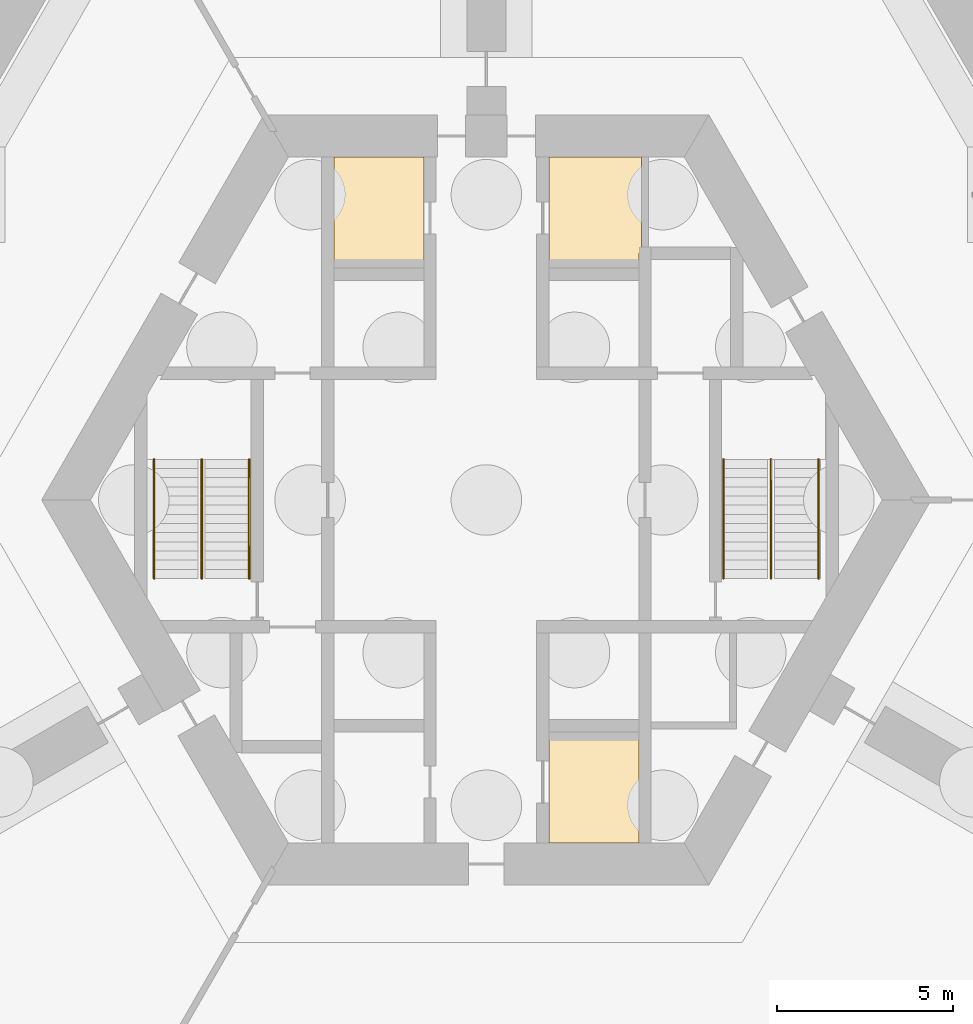
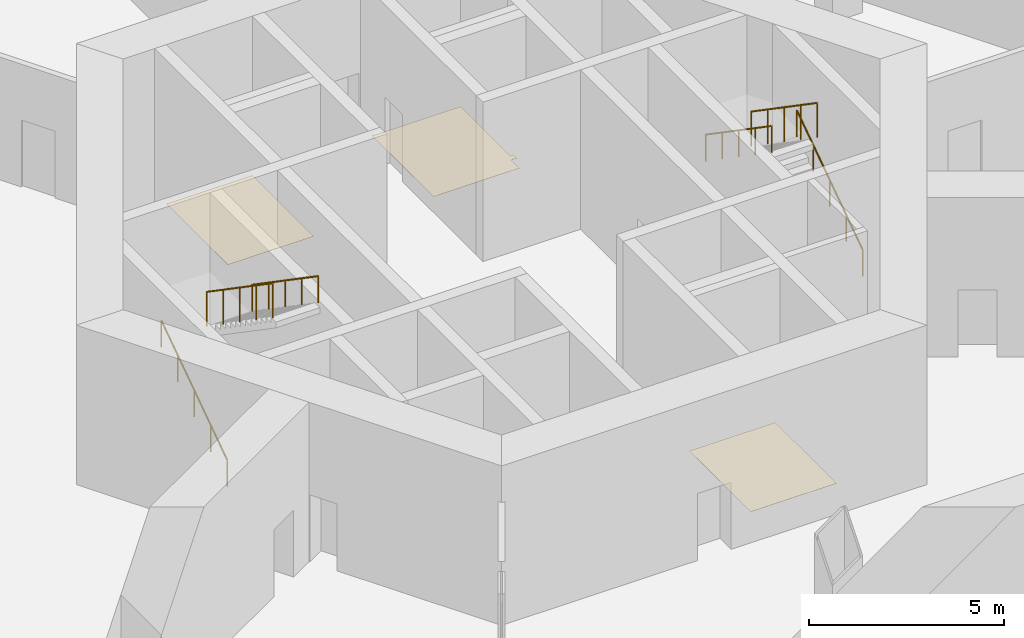
# One storey, part 5 of 5: 6 railings, 3 coverings.
"""IFC4 building model written with IfcOpenShell, lengths in metres."""

from ifc_helpers import new_model, si_unit, direction, frame, origin, origin_2d, place, context, subcontext, project, spatial, polyline, circle, outline, extrude, material, layer, layer_set, type_object, element, save


model = new_model("IFC4")

# Units and contexts
model_context = context("Model", 3, precision=1e-05, world=origin(), true_north=direction((0.0, 1.0)))
body_context = subcontext(model_context, "Body", "Model", "MODEL_VIEW")
ifc_project = project(units=[si_unit("LENGTHUNIT", "METRE"), si_unit("AREAUNIT", "SQUARE_METRE"), si_unit("VOLUMEUNIT", "CUBIC_METRE"), si_unit("PLANEANGLEUNIT", "RADIAN"), si_unit("MASSUNIT", "GRAM", prefix="KILO")], contexts=[model_context])

# Site, building, storey
site_placement = place(None, origin())
site = spatial("IfcSite", under=ifc_project, at=site_placement, CompositionType="ELEMENT")
building_placement = place(site_placement, origin())
building = spatial("IfcBuilding", under=site, at=building_placement, Name="Kasaneha Research Tower", CompositionType="ELEMENT")
storey_placement = place(building_placement, frame((0.0, 0.0, -10.0)))
storey = spatial("IfcBuildingStorey", under=building, at=storey_placement, Name="B2", CompositionType="ELEMENT", Elevation=-10.0)

# Railings
ifc_material_1 = material(Name="Steel", Category="steel")
railing_type_1 = type_object("IfcRailingType", Name="Stair balustrade 1100", PredefinedType="GUARDRAIL", material=ifc_material_1)
for number, where, name in (
    (1, (8.074951171875, 1.155029296875, 2.678466796875), "Stair 1 balustrade B2"),
    (2, (-8.074951171875, 1.155029296875, 2.678466796875), "Stair 2 balustrade B2"),
):
    element("IfcRailing", number, at=place(storey_placement, frame(where)), inside=storey, type_object=railing_type_1, Name=name, PredefinedType="GUARDRAIL", context=body_context, shape_type="SweptSolid", body=[
        extrude(circle(Radius=0.02392578125, at=origin_2d()), frame((0.0, 0.0, 1.076171875), z_axis=(0.0, -0.824304150675, 0.566147213346), x_axis=(1.0, 0.0, 0.0)), (0.0, 0.0, 1.0), 4.1005859375),
        extrude(circle(Radius=0.02099609375, at=origin_2d()), origin(), (0.0, 0.0, 1.0), 1.052001953125),
        extrude(circle(Radius=0.02099609375, at=origin_2d()), frame((0.0, -0.844970703125, 0.580322265625)), (0.0, 0.0, 1.0), 1.052001953125),
        extrude(circle(Radius=0.02099609375, at=origin_2d()), frame((0.0, -1.68994140625, 1.16064453125)), (0.0, 0.0, 1.0), 1.052001953125),
        extrude(circle(Radius=0.02099609375, at=origin_2d()), frame((0.0, -2.53515625, 1.7412109375)), (0.0, 0.0, 1.0), 1.052001953125),
        extrude(circle(Radius=0.02099609375, at=origin_2d()), frame((0.0, -3.380126953125, 2.321533203125)), (0.0, 0.0, 1.0), 1.052001953125),
    ])
ifc_material_2 = material(Name="Steel", Category="steel")
railing_type_2 = type_object("IfcRailingType", Name="Stair handrail 850", PredefinedType="HANDRAIL", material=ifc_material_2)
railing_1_placement = place(storey_placement, frame((9.425048828125, -2.22509765625, 0.178466796875)))
element("IfcRailing", 3, at=railing_1_placement, inside=storey, type_object=railing_type_2, Name="Stair 1 handrail B2", PredefinedType="HANDRAIL", context=body_context, shape_type="SweptSolid", body=[
    extrude(circle(Radius=0.02392578125, at=origin_2d()), frame((0.0, 0.0, 0.826171875), z_axis=(0.0, 0.824304150675, 0.566147213346), x_axis=(-1.0, 0.0, 0.0)), (0.0, 0.0, 1.0), 4.1005859375),
    extrude(circle(Radius=0.02099609375, at=origin_2d()), origin(), (0.0, 0.0, 1.0), 0.802001953125),
    extrude(circle(Radius=0.02099609375, at=origin_2d()), frame((0.0, 0.844970703125, 0.580322265625)), (0.0, 0.0, 1.0), 0.802001953125),
    extrude(circle(Radius=0.02099609375, at=origin_2d()), frame((0.0, 1.68994140625, 1.16064453125)), (0.0, 0.0, 1.0), 0.802001953125),
    extrude(circle(Radius=0.02099609375, at=origin_2d()), frame((0.0, 2.53515625, 1.7412109375)), (0.0, 0.0, 1.0), 0.802001953125),
    extrude(circle(Radius=0.02099609375, at=origin_2d()), frame((0.0, 3.380126953125, 2.321533203125)), (0.0, 0.0, 1.0), 0.802001953125),
])
railing_2_placement = place(storey_placement, frame((6.72509765625, 1.155029296875, 2.678466796875)))
element("IfcRailing", 4, at=railing_2_placement, inside=storey, type_object=railing_type_2, Name="Stair 1 handrail B2", PredefinedType="HANDRAIL", context=body_context, shape_type="SweptSolid", body=[
    extrude(circle(Radius=0.02392578125, at=origin_2d()), frame((0.0, 0.0, 0.826171875), z_axis=(0.0, -0.824304150675, 0.566147213346), x_axis=(1.0, 0.0, 0.0)), (0.0, 0.0, 1.0), 4.1005859375),
    extrude(circle(Radius=0.02099609375, at=origin_2d()), origin(), (0.0, 0.0, 1.0), 0.802001953125),
    extrude(circle(Radius=0.02099609375, at=origin_2d()), frame((0.0, -0.844970703125, 0.580322265625)), (0.0, 0.0, 1.0), 0.802001953125),
    extrude(circle(Radius=0.02099609375, at=origin_2d()), frame((0.0, -1.68994140625, 1.16064453125)), (0.0, 0.0, 1.0), 0.802001953125),
    extrude(circle(Radius=0.02099609375, at=origin_2d()), frame((0.0, -2.53515625, 1.7412109375)), (0.0, 0.0, 1.0), 0.802001953125),
    extrude(circle(Radius=0.02099609375, at=origin_2d()), frame((0.0, -3.380126953125, 2.321533203125)), (0.0, 0.0, 1.0), 0.802001953125),
])
railing_3_placement = place(storey_placement, frame((-9.425048828125, -2.22509765625, 0.178466796875)))
element("IfcRailing", 5, at=railing_3_placement, inside=storey, type_object=railing_type_2, Name="Stair 2 handrail B2", PredefinedType="HANDRAIL", context=body_context, shape_type="SweptSolid", body=[
    extrude(circle(Radius=0.02392578125, at=origin_2d()), frame((0.0, 0.0, 0.826171875), z_axis=(0.0, 0.824304150675, 0.566147213346), x_axis=(-1.0, 0.0, 0.0)), (0.0, 0.0, 1.0), 4.1005859375),
    extrude(circle(Radius=0.02099609375, at=origin_2d()), origin(), (0.0, 0.0, 1.0), 0.802001953125),
    extrude(circle(Radius=0.02099609375, at=origin_2d()), frame((0.0, 0.844970703125, 0.580322265625)), (0.0, 0.0, 1.0), 0.802001953125),
    extrude(circle(Radius=0.02099609375, at=origin_2d()), frame((0.0, 1.68994140625, 1.16064453125)), (0.0, 0.0, 1.0), 0.802001953125),
    extrude(circle(Radius=0.02099609375, at=origin_2d()), frame((0.0, 2.53515625, 1.7412109375)), (0.0, 0.0, 1.0), 0.802001953125),
    extrude(circle(Radius=0.02099609375, at=origin_2d()), frame((0.0, 3.380126953125, 2.321533203125)), (0.0, 0.0, 1.0), 0.802001953125),
])
railing_4_placement = place(storey_placement, frame((-6.72509765625, 1.155029296875, 2.678466796875)))
element("IfcRailing", 6, at=railing_4_placement, inside=storey, type_object=railing_type_2, Name="Stair 2 handrail B2", PredefinedType="HANDRAIL", context=body_context, shape_type="SweptSolid", body=[
    extrude(circle(Radius=0.02392578125, at=origin_2d()), frame((0.0, 0.0, 0.826171875), z_axis=(0.0, -0.824304150675, 0.566147213346), x_axis=(1.0, 0.0, 0.0)), (0.0, 0.0, 1.0), 4.1005859375),
    extrude(circle(Radius=0.02099609375, at=origin_2d()), origin(), (0.0, 0.0, 1.0), 0.802001953125),
    extrude(circle(Radius=0.02099609375, at=origin_2d()), frame((0.0, -0.844970703125, 0.580322265625)), (0.0, 0.0, 1.0), 0.802001953125),
    extrude(circle(Radius=0.02099609375, at=origin_2d()), frame((0.0, -1.68994140625, 1.16064453125)), (0.0, 0.0, 1.0), 0.802001953125),
    extrude(circle(Radius=0.02099609375, at=origin_2d()), frame((0.0, -2.53515625, 1.7412109375)), (0.0, 0.0, 1.0), 0.802001953125),
    extrude(circle(Radius=0.02099609375, at=origin_2d()), frame((0.0, -3.380126953125, 2.321533203125)), (0.0, 0.0, 1.0), 0.802001953125),
])

# Coverings
ifc_material_3 = material(Name="Vinyl sheet flooring", Category="plastic")
ifc_layer = layer(ifc_material_3, 0.0048828125)
ifc_layer_set = layer_set([ifc_layer], Name="Wet room sheet flooring 5")
covering_type = type_object("IfcCoveringType", Name="Wet room sheet flooring 5", PredefinedType="FLOORING", material=ifc_layer_set)
covering_1_placement = place(storey_placement, origin())
element("IfcCovering", 7, at=covering_1_placement, inside=storey, type_object=covering_type, Name="Floor finish B2-06", PredefinedType="FLOORING", context=body_context, shape_type="SweptSolid", body=[
    extrude(outline(polyline([(-1.77490234375, 9.72509765625), (-1.77490234375, 6.574951171875), (-4.324951171875, 6.574951171875), (-4.324951171875, 9.72509765625), (-1.77490234375, 9.72509765625)])), origin(), (0.0, 0.0, 1.0), 0.0048828125),
])
covering_2_placement = place(storey_placement, origin())
element("IfcCovering", 8, at=covering_2_placement, inside=storey, type_object=covering_type, Name="Floor finish B2-07", PredefinedType="FLOORING", context=body_context, shape_type="SweptSolid", body=[
    extrude(outline(polyline([(4.39892578125, 9.72509765625), (4.39892578125, 7.175048828125), (4.39892578125, 7.1748046875), (4.39892578125, 7.1748046875), (4.39892578125, 7.1748046875), (4.399169921875, 7.174560546875), (4.399169921875, 7.174560546875), (4.399169921875, 7.174560546875), (4.399169921875, 7.17431640625), (4.399169921875, 7.17431640625), (4.3994140625, 7.17431640625), (4.3994140625, 7.174072265625), (4.3994140625, 7.174072265625), (4.399658203125, 7.174072265625), (4.399658203125, 7.174072265625), (4.39990234375, 7.174072265625), (4.39990234375, 7.174072265625), (4.39990234375, 7.174072265625), (4.5, 7.174072265625), (4.5, 7.0), (4.324951171875, 7.0), (4.324951171875, 6.574951171875), (1.77490234375, 6.574951171875), (1.77490234375, 9.72509765625), (4.39892578125, 9.72509765625)])), origin(), (0.0, 0.0, 1.0), 0.0048828125),
])
covering_3_placement = place(storey_placement, origin())
element("IfcCovering", 9, at=covering_3_placement, inside=storey, type_object=covering_type, Name="Floor finish B2-09", PredefinedType="FLOORING", context=body_context, shape_type="SweptSolid", body=[
    extrude(outline(polyline([(1.77490234375, -9.72509765625), (1.77490234375, -6.574951171875), (4.324951171875, -6.574951171875), (4.324951171875, -9.72509765625), (1.77490234375, -9.72509765625)])), origin(), (0.0, 0.0, 1.0), 0.0048828125),
])

save(model, "model.ifc")
